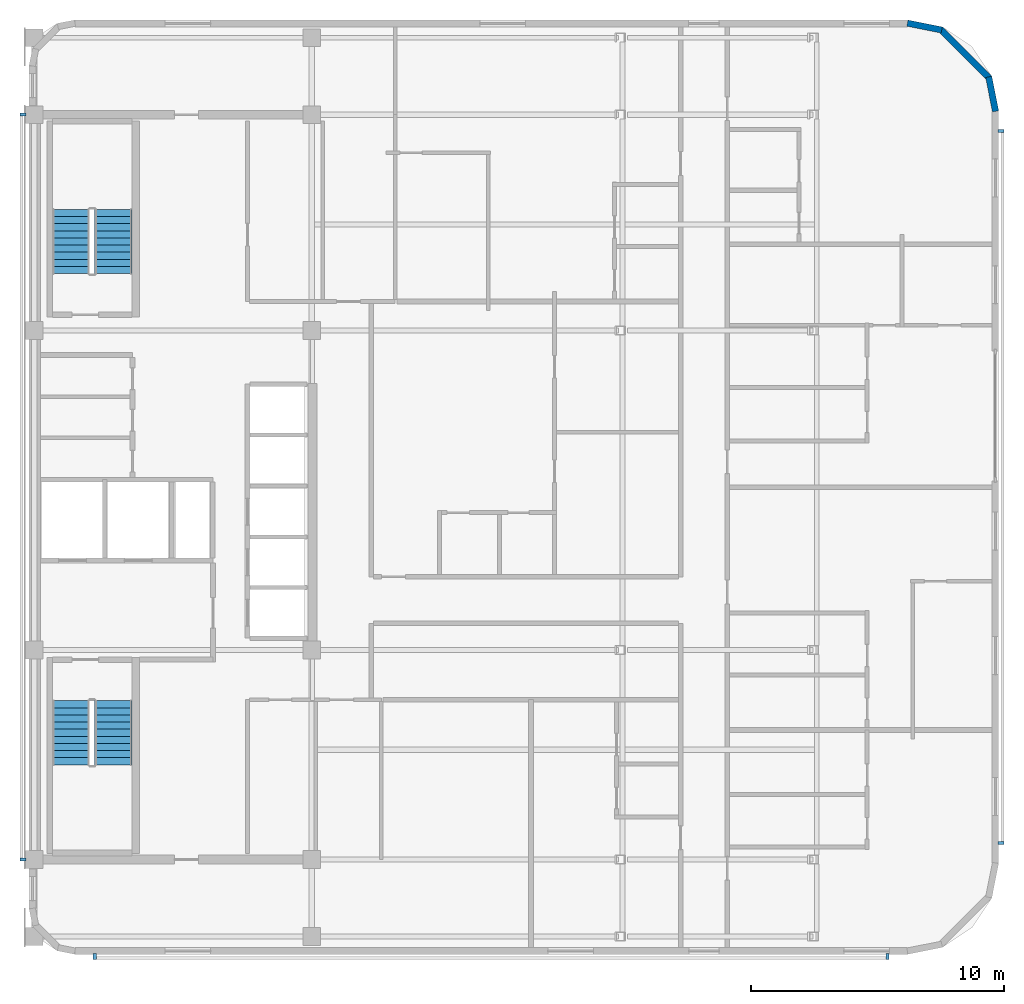
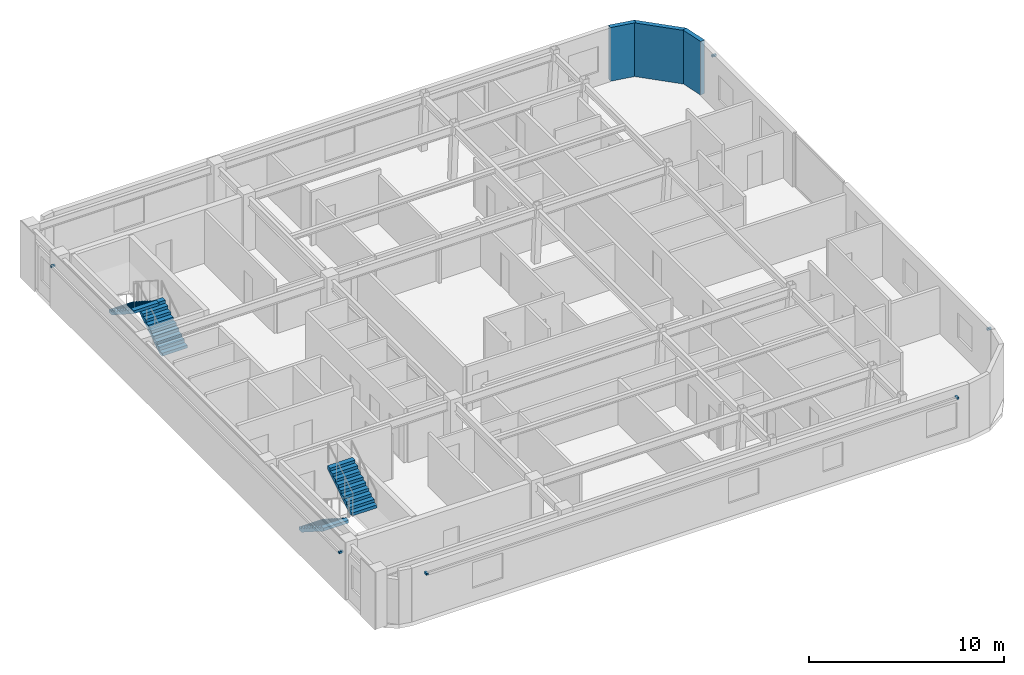
# One storey, part 7 of 10: 6 discrete accessories, 4 stair flights, 3 walls, 2 elements without a shape of their own.
"""IFC4 building model written with IfcOpenShell, lengths in metres."""

from ifc_helpers import new_model, si_unit, direction, frame, frame_2d, origin, origin_2d, place, context, subcontext, project, spatial, polyline, rectangle, outline, extrude, material, layer, layer_set, type_object, element, aggregate, save


model = new_model("IFC4")

# Units and contexts
model_context = context("Model", 3, precision=1e-05, world=origin(), true_north=direction((0.0, 1.0)))
body_context = subcontext(model_context, "Body", "Model", "MODEL_VIEW")
ifc_project = project(units=[si_unit("LENGTHUNIT", "METRE"), si_unit("AREAUNIT", "SQUARE_METRE"), si_unit("VOLUMEUNIT", "CUBIC_METRE"), si_unit("PLANEANGLEUNIT", "RADIAN"), si_unit("MASSUNIT", "GRAM", prefix="KILO")], contexts=[model_context])

# Site, building, storey
site_placement = place(None, origin())
site = spatial("IfcSite", under=ifc_project, at=site_placement, CompositionType="ELEMENT")
building_placement = place(site_placement, origin())
building = spatial("IfcBuilding", under=site, at=building_placement, Name="Ochreholt Gables", CompositionType="ELEMENT")
storey_placement = place(building_placement, frame((0.0, 0.0, 213.0)))
storey = spatial("IfcBuildingStorey", under=building, at=storey_placement, Name="L55", CompositionType="ELEMENT", Elevation=213.0)

# Walls
ifc_material_1 = material(Name="Precast concrete 40 MPa", Category="concrete")
ifc_layer = layer(ifc_material_1, 0.25, Name="Precast concrete 40 MPa")
ifc_layer_set = layer_set([ifc_layer], Name="Precast concrete 40 MPa")
wall_type = type_object("IfcWallType", Name="WALL-EXT-CNR", PredefinedType="SOLIDWALL", material=ifc_layer_set)
wall_1_placement = place(storey_placement, frame((62.27587890625, 38.883544921875, 0.0), z_axis=(0.0, 0.0, 1.0), x_axis=(-0.195135625965, 0.9807762678, 0.0)))
element("IfcWall", 1, at=wall_1_placement, inside=storey, type_object=wall_type, Name="L55 Rounded Corner Wall NE-1", PredefinedType="SOLIDWALL", context=body_context, shape_type="SweptSolid", body=[
    extrude(rectangle(XDim=1.388671875, YDim=0.25, at=frame_2d((0.6943359375, 0.0))), origin(), (0.0, 0.0, 1.0), 3.360107421875),
])
wall_2_placement = place(storey_placement, frame((62.031982421875, 40.195068359375, 0.0), z_axis=(0.0, 0.0, 1.0), x_axis=(-0.707106781187, 0.707106781187, 0.0)))
element("IfcWall", 2, at=wall_2_placement, inside=storey, type_object=wall_type, Name="L55 Rounded Corner Wall NE-2", PredefinedType="SOLIDWALL", context=body_context, shape_type="SweptSolid", body=[
    extrude(rectangle(XDim=2.7392578125, YDim=0.25, at=frame_2d((1.36962890625, 0.0))), origin(), (0.0, 0.0, 1.0), 3.360107421875),
])
wall_3_placement = place(storey_placement, frame((60.1455078125, 42.10498046875, 0.0), z_axis=(0.0, 0.0, 1.0), x_axis=(-0.980809899341, 0.19496651342, 0.0)))
element("IfcWall", 3, at=wall_3_placement, inside=storey, type_object=wall_type, Name="L55 Rounded Corner Wall NE-3", PredefinedType="SOLIDWALL", context=body_context, shape_type="SweptSolid", body=[
    extrude(rectangle(XDim=1.388671875, YDim=0.25, at=frame_2d((0.6943359375, 0.0))), origin(), (0.0, 0.0, 1.0), 3.360107421875),
])

# Stair, stair flights
ifc_material_2 = material(Name="Concrete 40 MPa", Category="concrete")
stair_type_1 = type_object("IfcStairType", Name="STAIR-CORE-ST-1", PredefinedType="HALF_TURN_STAIR", material=ifc_material_2)
stair_1_placement = place(storey_placement, origin())
stair_1 = element("IfcStair", 4, at=stair_1_placement, inside=storey, type_object=stair_type_1, Name="L55 Core Exit Stair 1", PredefinedType="HALF_TURN_STAIR")
stair_flight_type = type_object("IfcStairFlightType", Name="FLIGHT-ST-1480-1800", PredefinedType="STRAIGHT", material=ifc_material_2)
stair_flight_1_placement = place(storey_placement, frame((25.659912109375, 15.5400390625, 0.0), z_axis=(0.0, 0.0, 1.0), x_axis=(0.0, -1.0, 0.0)))
stair_flight_1 = element("IfcStairFlight", 5, at=stair_flight_1_placement, type_object=stair_flight_type, Name="ST-1 flight 1", NumberOfRisers=10, NumberOfTreads=9, PredefinedType="STRAIGHT", RiserHeight=0.18, TreadLength=0.282, context=body_context, shape_type="SweptSolid", body=[
    extrude(outline(polyline([(0.0, 0.0), (0.0, 0.179931640625), (0.281982421875, 0.179931640625), (0.281982421875, 0.360107421875), (0.56396484375, 0.360107421875), (0.56396484375, 0.5400390625), (0.845947265625, 0.5400390625), (0.845947265625, 0.719970703125), (1.1279296875, 0.719970703125), (1.1279296875, 0.89990234375), (1.409912109375, 0.89990234375), (1.409912109375, 1.080078125), (1.69189453125, 1.080078125), (1.69189453125, 1.260009765625), (1.97412109375, 1.260009765625), (1.97412109375, 1.43994140625), (2.256103515625, 1.43994140625), (2.256103515625, 1.6201171875), (2.5380859375, 1.6201171875), (2.5380859375, 1.800048828125), (2.5380859375, 1.442138671875), (0.278564453125, 0.0), (0.0, 0.0)])), frame((0.0, 0.739990234375, 0.0), z_axis=(0.0, -1.0, 0.0), x_axis=(1.0, 0.0, 0.0)), (0.0, 0.0, 1.0), 1.47998046875),
])
stair_flight_2_placement = place(storey_placement, frame((27.340087890625, 13.001953125, 1.800048828125), z_axis=(0.0, 0.0, 1.0), x_axis=(0.0, 1.0, 0.0)))
stair_flight_2 = element("IfcStairFlight", 6, at=stair_flight_2_placement, type_object=stair_flight_type, Name="ST-1 flight 2", NumberOfRisers=10, NumberOfTreads=9, PredefinedType="STRAIGHT", RiserHeight=0.18, TreadLength=0.282, context=body_context, shape_type="SweptSolid", body=[
    extrude(outline(polyline([(0.0, 0.0), (0.0, 0.179931640625), (0.281982421875, 0.179931640625), (0.281982421875, 0.360107421875), (0.56396484375, 0.360107421875), (0.56396484375, 0.5400390625), (0.845947265625, 0.5400390625), (0.845947265625, 0.719970703125), (1.1279296875, 0.719970703125), (1.1279296875, 0.89990234375), (1.409912109375, 0.89990234375), (1.409912109375, 1.080078125), (1.69189453125, 1.080078125), (1.69189453125, 1.260009765625), (1.97412109375, 1.260009765625), (1.97412109375, 1.43994140625), (2.256103515625, 1.43994140625), (2.256103515625, 1.6201171875), (2.5380859375, 1.6201171875), (2.5380859375, 1.800048828125), (2.5380859375, 1.442138671875), (0.278564453125, 0.0), (0.0, 0.0)])), frame((0.0, 0.739990234375, 0.0), z_axis=(0.0, -1.0, 0.0), x_axis=(1.0, 0.0, 0.0)), (0.0, 0.0, 1.0), 1.47998046875),
])
aggregate(stair_1, [stair_flight_1, stair_flight_2])

stair_type_2 = type_object("IfcStairType", Name="STAIR-CORE-ST-2", PredefinedType="HALF_TURN_STAIR", material=ifc_material_2)
stair_2_placement = place(storey_placement, origin())
stair_2 = element("IfcStair", 7, at=stair_2_placement, inside=storey, type_object=stair_type_2, Name="L55 Core Exit Stair 2", PredefinedType="HALF_TURN_STAIR")
stair_flight_3_placement = place(storey_placement, frame((27.340087890625, 32.4599609375, 0.0), z_axis=(0.0, 0.0, 1.0), x_axis=(0.0, 1.0, 0.0)))
stair_flight_3 = element("IfcStairFlight", 8, at=stair_flight_3_placement, type_object=stair_flight_type, Name="ST-2 flight 1", NumberOfRisers=10, NumberOfTreads=9, PredefinedType="STRAIGHT", RiserHeight=0.18, TreadLength=0.282, context=body_context, shape_type="SweptSolid", body=[
    extrude(outline(polyline([(0.0, 0.0), (0.0, 0.179931640625), (0.281982421875, 0.179931640625), (0.281982421875, 0.360107421875), (0.56396484375, 0.360107421875), (0.56396484375, 0.5400390625), (0.845947265625, 0.5400390625), (0.845947265625, 0.719970703125), (1.1279296875, 0.719970703125), (1.1279296875, 0.89990234375), (1.409912109375, 0.89990234375), (1.409912109375, 1.080078125), (1.69189453125, 1.080078125), (1.69189453125, 1.260009765625), (1.97412109375, 1.260009765625), (1.97412109375, 1.43994140625), (2.256103515625, 1.43994140625), (2.256103515625, 1.6201171875), (2.5380859375, 1.6201171875), (2.5380859375, 1.800048828125), (2.5380859375, 1.442138671875), (0.278564453125, 0.0), (0.0, 0.0)])), frame((0.0, 0.739990234375, 0.0), z_axis=(0.0, -1.0, 0.0), x_axis=(1.0, 0.0, 0.0)), (0.0, 0.0, 1.0), 1.47998046875),
])
stair_flight_4_placement = place(storey_placement, frame((25.659912109375, 34.998046875, 1.800048828125), z_axis=(0.0, 0.0, 1.0), x_axis=(0.0, -1.0, 0.0)))
stair_flight_4 = element("IfcStairFlight", 9, at=stair_flight_4_placement, type_object=stair_flight_type, Name="ST-2 flight 2", NumberOfRisers=10, NumberOfTreads=9, PredefinedType="STRAIGHT", RiserHeight=0.18, TreadLength=0.282, context=body_context, shape_type="SweptSolid", body=[
    extrude(outline(polyline([(0.0, 0.0), (0.0, 0.179931640625), (0.281982421875, 0.179931640625), (0.281982421875, 0.360107421875), (0.56396484375, 0.360107421875), (0.56396484375, 0.5400390625), (0.845947265625, 0.5400390625), (0.845947265625, 0.719970703125), (1.1279296875, 0.719970703125), (1.1279296875, 0.89990234375), (1.409912109375, 0.89990234375), (1.409912109375, 1.080078125), (1.69189453125, 1.080078125), (1.69189453125, 1.260009765625), (1.97412109375, 1.260009765625), (1.97412109375, 1.43994140625), (2.256103515625, 1.43994140625), (2.256103515625, 1.6201171875), (2.5380859375, 1.6201171875), (2.5380859375, 1.800048828125), (2.5380859375, 1.442138671875), (0.278564453125, 0.0), (0.0, 0.0)])), frame((0.0, 0.739990234375, 0.0), z_axis=(0.0, -1.0, 0.0), x_axis=(1.0, 0.0, 0.0)), (0.0, 0.0, 1.0), 1.47998046875),
])
aggregate(stair_2, [stair_flight_3, stair_flight_4])

# Discrete accessories
ifc_material_3 = material(Name="Extruded Aluminium Standoff Bracket", Category="aluminium")
discrete_accessory_type = type_object("IfcDiscreteAccessoryType", Name="ACC-BRACKET-AL", PredefinedType="BRACKET", material=ifc_material_3)
for number, where, z_axis, x_axis, name in (
    (10, (26.60009765625, 5.409912109375, 2.780029296875), (0.0, 0.0, 1.0), (1.0, 0.0, 0.0), "L55 Baguette Standoff Bracket S1-1"),
    (11, (58.0, 5.409912109375, 2.780029296875), (0.0, 0.0, 1.0), (1.0, 0.0, 0.0), "L55 Baguette Standoff Bracket S1-2"),
    (12, (62.489990234375, 9.89990234375, 2.780029296875), (0.0, 0.0, 1.0), (0.0, 1.0, 0.0), "L55 Baguette Standoff Bracket E1-1"),
    (13, (62.489990234375, 38.10009765625, 2.780029296875), (0.0, 0.0, 1.0), (0.0, 1.0, 0.0), "L55 Baguette Standoff Bracket E1-2"),
    (14, (23.760009765625, 38.75, 2.780029296875), (0.0, 0.0, 1.0), (0.0, -1.0, 0.0), "L55 Baguette Standoff Bracket W1-1"),
    (15, (23.760009765625, 9.25, 2.780029296875), (0.0, 0.0, 1.0), (0.0, -1.0, 0.0), "L55 Baguette Standoff Bracket W1-2"),
):
    element("IfcDiscreteAccessory", number, at=place(storey_placement, frame(where, z_axis=z_axis, x_axis=x_axis)), inside=storey, type_object=discrete_accessory_type, Name=name, PredefinedType="BRACKET", context=body_context, shape_type="SweptSolid", body=[
        extrude(rectangle(XDim=0.1201171875, YDim=0.239990234375, at=origin_2d()), origin(), (0.0, 0.0, 1.0), 0.1201171875),
    ])

save(model, "model.ifc")
